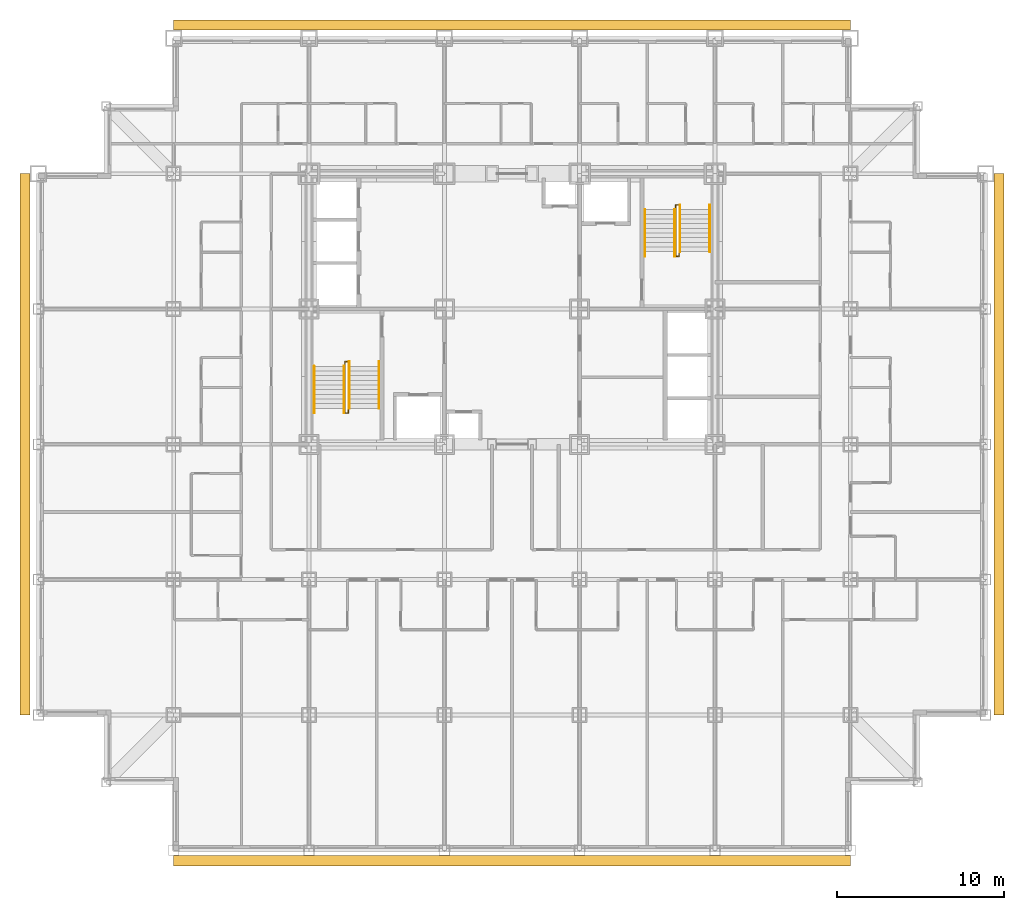
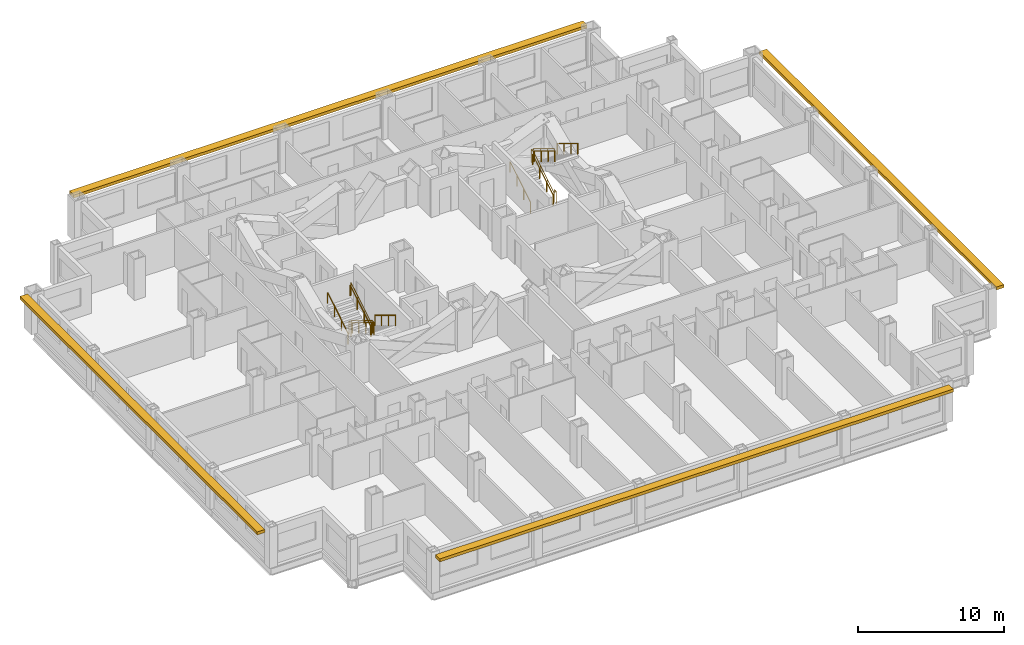
# One storey, part 11 of 11: 10 railings, 4 shading devices.
"""IFC4 building model written with IfcOpenShell, lengths in metres."""

from ifc_helpers import new_model, si_unit, direction, frame, origin, origin_2d, place, context, subcontext, project, spatial, rectangle, circle, extrude, material, type_object, element, save


model = new_model("IFC4")

# Units and contexts
model_context = context("Model", 3, precision=1e-05, world=origin(), true_north=direction((0.0, 1.0)))
body_context = subcontext(model_context, "Body", "Model", "MODEL_VIEW")
ifc_project = project(units=[si_unit("LENGTHUNIT", "METRE"), si_unit("AREAUNIT", "SQUARE_METRE"), si_unit("VOLUMEUNIT", "CUBIC_METRE"), si_unit("PLANEANGLEUNIT", "RADIAN"), si_unit("MASSUNIT", "GRAM", prefix="KILO")], contexts=[model_context])

# Site, building, storey
site_placement = place(None, origin())
site = spatial("IfcSite", under=ifc_project, at=site_placement, CompositionType="ELEMENT")
building_placement = place(site_placement, origin())
building = spatial("IfcBuilding", under=site, at=building_placement, Name="Kopane Lantern Tower", CompositionType="ELEMENT")
storey_placement = place(building_placement, frame((0.0, 0.0, 73.800048828125)))
storey = spatial("IfcBuildingStorey", under=building, at=storey_placement, Name="L18", CompositionType="ELEMENT", Elevation=73.800048828125)

# Railings
ifc_material_1 = material(Name="Steel", Category="steel")
railing_type_1 = type_object("IfcRailingType", Name="STAIR GUARD 1100", PredefinedType="GUARDRAIL", material=ifc_material_1)
railing_1_placement = place(storey_placement, frame((18.35009765625, 28.969970703125, 0.0)))
element("IfcRailing", 1, at=railing_1_placement, inside=storey, type_object=railing_type_1, Name="ST1 well guard L18", PredefinedType="GUARDRAIL", context=body_context, shape_type="SweptSolid", body=[
    extrude(circle(Radius=0.02392578125, at=origin_2d()), frame((0.0, 0.0, 1.076171875), z_axis=(0.0, 1.0, 0.0), x_axis=(-1.0, 0.0, 0.0)), (0.0, 0.0, 1.0), 0.280029296875),
    extrude(circle(Radius=0.02392578125, at=origin_2d()), frame((0.0, 0.280029296875, 1.076171875), z_axis=(1.0, 0.0, 0.0), x_axis=(0.0, 1.0, 0.0)), (0.0, 0.0, 1.0), 0.199951171875),
    extrude(circle(Radius=0.02392578125, at=origin_2d()), frame((0.199951171875, 0.280029296875, 1.076171875), z_axis=(0.0, -0.854798142509, 0.518960630071), x_axis=(1.0, 0.0, 0.0)), (0.0, 0.0, 1.0), 3.275634765625),
    extrude(circle(Radius=0.02392578125, at=origin_2d()), frame((0.199951171875, -2.52001953125, 2.77587890625), z_axis=(0.0, -1.0, 0.0), x_axis=(1.0, 0.0, 0.0)), (0.0, 0.0, 1.0), 0.280029296875),
    extrude(circle(Radius=0.02392578125, at=origin_2d()), frame((0.199951171875, -2.800048828125, 2.77587890625), z_axis=(-1.0, 0.0, 0.0), x_axis=(0.0, -1.0, 0.0)), (0.0, 0.0, 1.0), 0.199951171875),
    extrude(circle(Radius=0.02392578125, at=origin_2d()), frame((0.0, -2.800048828125, 2.77587890625), z_axis=(0.0, 0.854798142509, 0.518960630071), x_axis=(-1.0, 0.0, 0.0)), (0.0, 0.0, 1.0), 3.275634765625),
    extrude(circle(Radius=0.02099609375, at=origin_2d()), origin(), (0.0, 0.0, 1.0), 1.052001953125),
    extrude(circle(Radius=0.02099609375, at=origin_2d()), frame((0.0, 0.280029296875, 0.0)), (0.0, 0.0, 1.0), 1.052001953125),
    extrude(circle(Radius=0.02099609375, at=origin_2d()), frame((0.199951171875, 0.280029296875, 0.0)), (0.0, 0.0, 1.0), 1.052001953125),
    extrude(circle(Radius=0.02099609375, at=origin_2d()), frame((0.199951171875, -0.6533203125, 0.566650390625)), (0.0, 0.0, 1.0), 1.052001953125),
    extrude(circle(Radius=0.02099609375, at=origin_2d()), frame((0.199951171875, -1.586669921875, 1.13330078125)), (0.0, 0.0, 1.0), 1.052001953125),
    extrude(circle(Radius=0.02099609375, at=origin_2d()), frame((0.199951171875, -2.52001953125, 1.699951171875)), (0.0, 0.0, 1.0), 1.052001953125),
    extrude(circle(Radius=0.02099609375, at=origin_2d()), frame((0.199951171875, -2.800048828125, 1.699951171875)), (0.0, 0.0, 1.0), 1.052001953125),
    extrude(circle(Radius=0.02099609375, at=origin_2d()), frame((0.0, -2.800048828125, 1.699951171875)), (0.0, 0.0, 1.0), 1.052001953125),
    extrude(circle(Radius=0.02099609375, at=origin_2d()), frame((0.0, -1.86669921875, 2.2666015625)), (0.0, 0.0, 1.0), 1.052001953125),
    extrude(circle(Radius=0.02099609375, at=origin_2d()), frame((0.0, -0.933349609375, 2.833251953125)), (0.0, 0.0, 1.0), 1.052001953125),
    extrude(circle(Radius=0.02099609375, at=origin_2d()), frame((0.0, 0.0, 3.39990234375)), (0.0, 0.0, 1.0), 1.052001953125),
])
railing_2_placement = place(storey_placement, frame((38.35009765625, 35.830078125, 0.0)))
element("IfcRailing", 2, at=railing_2_placement, inside=storey, type_object=railing_type_1, Name="ST2 well guard L18", PredefinedType="GUARDRAIL", context=body_context, shape_type="SweptSolid", body=[
    extrude(circle(Radius=0.02392578125, at=origin_2d()), frame((0.0, 0.0, 1.076171875), z_axis=(0.0, -1.0, 0.0), x_axis=(1.0, 0.0, 0.0)), (0.0, 0.0, 1.0), 0.280029296875),
    extrude(circle(Radius=0.02392578125, at=origin_2d()), frame((0.0, -0.280029296875, 1.076171875), z_axis=(-1.0, 0.0, 0.0), x_axis=(0.0, -1.0, 0.0)), (0.0, 0.0, 1.0), 0.2001953125),
    extrude(circle(Radius=0.02392578125, at=origin_2d()), frame((-0.2001953125, -0.280029296875, 1.076171875), z_axis=(0.0, 0.854798142509, 0.518960630071), x_axis=(-1.0, 0.0, 0.0)), (0.0, 0.0, 1.0), 3.275634765625),
    extrude(circle(Radius=0.02392578125, at=origin_2d()), frame((-0.2001953125, 2.52001953125, 2.77587890625), z_axis=(0.0, 1.0, 0.0), x_axis=(-1.0, 0.0, 0.0)), (0.0, 0.0, 1.0), 0.27978515625),
    extrude(circle(Radius=0.02392578125, at=origin_2d()), frame((-0.2001953125, 2.7998046875, 2.77587890625), z_axis=(1.0, 0.0, 0.0), x_axis=(0.0, 1.0, 0.0)), (0.0, 0.0, 1.0), 0.2001953125),
    extrude(circle(Radius=0.02392578125, at=origin_2d()), frame((0.0, 2.7998046875, 2.77587890625), z_axis=(0.0, -0.854778067842, 0.518993694313), x_axis=(1.0, 0.0, 0.0)), (0.0, 0.0, 1.0), 3.275390625),
    extrude(circle(Radius=0.02099609375, at=origin_2d()), origin(), (0.0, 0.0, 1.0), 1.052001953125),
    extrude(circle(Radius=0.02099609375, at=origin_2d()), frame((0.0, -0.280029296875, 0.0)), (0.0, 0.0, 1.0), 1.052001953125),
    extrude(circle(Radius=0.02099609375, at=origin_2d()), frame((-0.2001953125, -0.280029296875, 0.0)), (0.0, 0.0, 1.0), 1.052001953125),
    extrude(circle(Radius=0.02099609375, at=origin_2d()), frame((-0.2001953125, 0.6533203125, 0.566650390625)), (0.0, 0.0, 1.0), 1.052001953125),
    extrude(circle(Radius=0.02099609375, at=origin_2d()), frame((-0.2001953125, 1.586669921875, 1.13330078125)), (0.0, 0.0, 1.0), 1.052001953125),
    extrude(circle(Radius=0.02099609375, at=origin_2d()), frame((-0.2001953125, 2.52001953125, 1.699951171875)), (0.0, 0.0, 1.0), 1.052001953125),
    extrude(circle(Radius=0.02099609375, at=origin_2d()), frame((-0.2001953125, 2.7998046875, 1.699951171875)), (0.0, 0.0, 1.0), 1.052001953125),
    extrude(circle(Radius=0.02099609375, at=origin_2d()), frame((0.0, 2.7998046875, 1.699951171875)), (0.0, 0.0, 1.0), 1.052001953125),
    extrude(circle(Radius=0.02099609375, at=origin_2d()), frame((0.0, 1.866455078125, 2.2666015625)), (0.0, 0.0, 1.0), 1.052001953125),
    extrude(circle(Radius=0.02099609375, at=origin_2d()), frame((0.0, 0.933349609375, 2.833251953125)), (0.0, 0.0, 1.0), 1.052001953125),
    extrude(circle(Radius=0.02099609375, at=origin_2d()), frame((0.0, 0.0, 3.39990234375)), (0.0, 0.0, 1.0), 1.052001953125),
])
ifc_material_2 = material(Name="Steel", Category="steel")
railing_type_2 = type_object("IfcRailingType", Name="STAIR HANDRAIL 900", PredefinedType="HANDRAIL", material=ifc_material_2)
for number, where, name in (
    (3, (20.389892578125, 29.25, 0.0), "ST1 handrail L18 flight 1"),
    (4, (18.610107421875, 29.25, 0.0), "ST1 handrail L18 flight 1"),
):
    element("IfcRailing", number, at=place(storey_placement, frame(where)), inside=storey, type_object=railing_type_2, Name=name, PredefinedType="HANDRAIL", context=body_context, shape_type="SweptSolid", body=[
        extrude(circle(Radius=0.02392578125, at=origin_2d()), frame((0.0, 0.0, 0.8759765625), z_axis=(0.0, -0.854798142509, 0.518960630071), x_axis=(1.0, 0.0, 0.0)), (0.0, 0.0, 1.0), 3.275634765625),
        extrude(circle(Radius=0.02099609375, at=origin_2d()), origin(), (0.0, 0.0, 1.0), 0.851806640625),
        extrude(circle(Radius=0.02099609375, at=origin_2d()), frame((0.0, -0.933349609375, 0.566650390625)), (0.0, 0.0, 1.0), 0.851806640625),
        extrude(circle(Radius=0.02099609375, at=origin_2d()), frame((0.0, -1.86669921875, 1.13330078125)), (0.0, 0.0, 1.0), 0.851806640625),
        extrude(circle(Radius=0.02099609375, at=origin_2d()), frame((0.0, -2.800048828125, 1.699951171875)), (0.0, 0.0, 1.0), 0.851806640625),
    ])
for number, where, name in (
    (5, (16.510009765625, 26.169921875, 1.699951171875), "ST1 handrail L18 flight 2"),
    (6, (18.2900390625, 26.169921875, 1.699951171875), "ST1 handrail L18 flight 2"),
    (7, (36.31005859375, 35.550048828125, 0.0), "ST2 handrail L18 flight 1"),
    (8, (38.090087890625, 35.550048828125, 0.0), "ST2 handrail L18 flight 1"),
):
    element("IfcRailing", number, at=place(storey_placement, frame(where)), inside=storey, type_object=railing_type_2, Name=name, PredefinedType="HANDRAIL", context=body_context, shape_type="SweptSolid", body=[
        extrude(circle(Radius=0.02392578125, at=origin_2d()), frame((0.0, 0.0, 0.8759765625), z_axis=(0.0, 0.854798142509, 0.518960630071), x_axis=(-1.0, 0.0, 0.0)), (0.0, 0.0, 1.0), 3.275634765625),
        extrude(circle(Radius=0.02099609375, at=origin_2d()), origin(), (0.0, 0.0, 1.0), 0.851806640625),
        extrude(circle(Radius=0.02099609375, at=origin_2d()), frame((0.0, 0.933349609375, 0.566650390625)), (0.0, 0.0, 1.0), 0.851806640625),
        extrude(circle(Radius=0.02099609375, at=origin_2d()), frame((0.0, 1.86669921875, 1.13330078125)), (0.0, 0.0, 1.0), 0.851806640625),
        extrude(circle(Radius=0.02099609375, at=origin_2d()), frame((0.0, 2.800048828125, 1.699951171875)), (0.0, 0.0, 1.0), 0.851806640625),
    ])
for number, where, name in (
    (9, (40.18994140625, 38.6298828125, 1.699951171875), "ST2 handrail L18 flight 2"),
    (10, (38.409912109375, 38.6298828125, 1.699951171875), "ST2 handrail L18 flight 2"),
):
    element("IfcRailing", number, at=place(storey_placement, frame(where)), inside=storey, type_object=railing_type_2, Name=name, PredefinedType="HANDRAIL", context=body_context, shape_type="SweptSolid", body=[
        extrude(circle(Radius=0.02392578125, at=origin_2d()), frame((0.0, 0.0, 0.8759765625), z_axis=(0.0, -0.854778067842, 0.518993694313), x_axis=(1.0, 0.0, 0.0)), (0.0, 0.0, 1.0), 3.275390625),
        extrude(circle(Radius=0.02099609375, at=origin_2d()), origin(), (0.0, 0.0, 1.0), 0.851806640625),
        extrude(circle(Radius=0.02099609375, at=origin_2d()), frame((0.0, -0.933349609375, 0.566650390625)), (0.0, 0.0, 1.0), 0.851806640625),
        extrude(circle(Radius=0.02099609375, at=origin_2d()), frame((0.0, -1.866455078125, 1.13330078125)), (0.0, 0.0, 1.0), 0.851806640625),
        extrude(circle(Radius=0.02099609375, at=origin_2d()), frame((0.0, -2.7998046875, 1.699951171875)), (0.0, 0.0, 1.0), 0.851806640625),
    ])

# Shading devices
ifc_material_3 = material(Name="Terracotta rainscreen on light steel framing", Category="masonry")
shading_device_type = type_object("IfcShadingDeviceType", Name="SUNSHADE BAND SB1 600 TERRACOTTA", PredefinedType="USERDEFINED", material=ifc_material_3)
shading_device_1_placement = place(storey_placement, frame((28.35009765625, -0.625, 2.89990234375), z_axis=(0.0, 0.0, 1.0), x_axis=(1.0, 0.0, 0.0)))
element("IfcShadingDevice", 11, at=shading_device_1_placement, inside=storey, type_object=shading_device_type, Name="Sunshade band S L18", ObjectType="SUNSHADE BAND", PredefinedType="USERDEFINED", context=body_context, shape_type="SweptSolid", body=[
    extrude(rectangle(XDim=40.5, YDim=0.60009765625, at=origin_2d()), origin(), (0.0, 0.0, 1.0), 0.25),
])
shading_device_2_placement = place(storey_placement, frame((57.5, 24.300048828125, 2.89990234375), z_axis=(0.0, 0.0, 1.0), x_axis=(0.0, 1.0, 0.0)))
element("IfcShadingDevice", 12, at=shading_device_2_placement, inside=storey, type_object=shading_device_type, Name="Sunshade band E L18", ObjectType="SUNSHADE BAND", PredefinedType="USERDEFINED", context=body_context, shape_type="SweptSolid", body=[
    extrude(rectangle(XDim=32.39990234375, YDim=0.60009765625, at=origin_2d()), origin(), (0.0, 0.0, 1.0), 0.25),
])
shading_device_3_placement = place(storey_placement, frame((28.35009765625, 49.39990234375, 2.89990234375), z_axis=(0.0, 0.0, 1.0), x_axis=(-1.0, 0.0, 0.0)))
element("IfcShadingDevice", 13, at=shading_device_3_placement, inside=storey, type_object=shading_device_type, Name="Sunshade band N L18", ObjectType="SUNSHADE BAND", PredefinedType="USERDEFINED", context=body_context, shape_type="SweptSolid", body=[
    extrude(rectangle(XDim=40.5, YDim=0.60009765625, at=origin_2d()), origin(), (0.0, 0.0, 1.0), 0.25),
])
shading_device_4_placement = place(storey_placement, frame((-0.800048828125, 24.300048828125, 2.89990234375), z_axis=(0.0, 0.0, 1.0), x_axis=(0.0, -1.0, 0.0)))
element("IfcShadingDevice", 14, at=shading_device_4_placement, inside=storey, type_object=shading_device_type, Name="Sunshade band W L18", ObjectType="SUNSHADE BAND", PredefinedType="USERDEFINED", context=body_context, shape_type="SweptSolid", body=[
    extrude(rectangle(XDim=32.39990234375, YDim=0.60009765625, at=origin_2d()), origin(), (0.0, 0.0, 1.0), 0.25),
])

save(model, "model.ifc")
